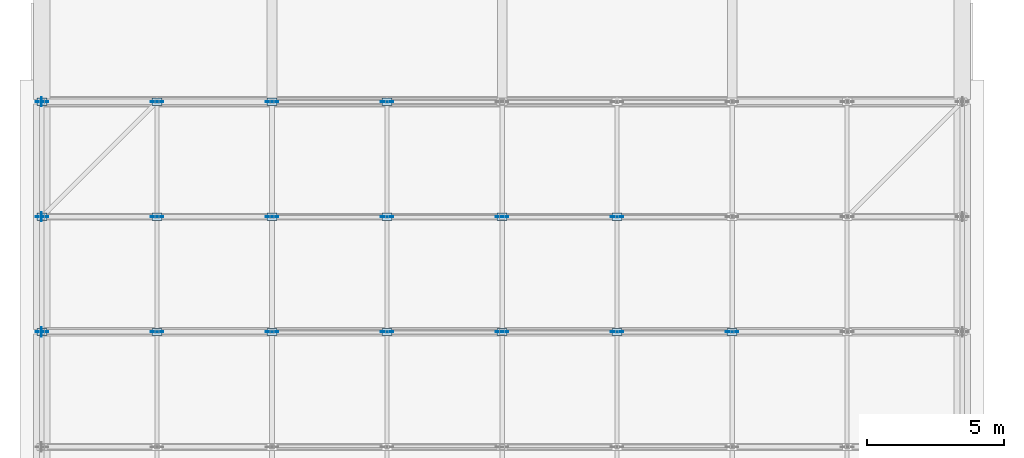
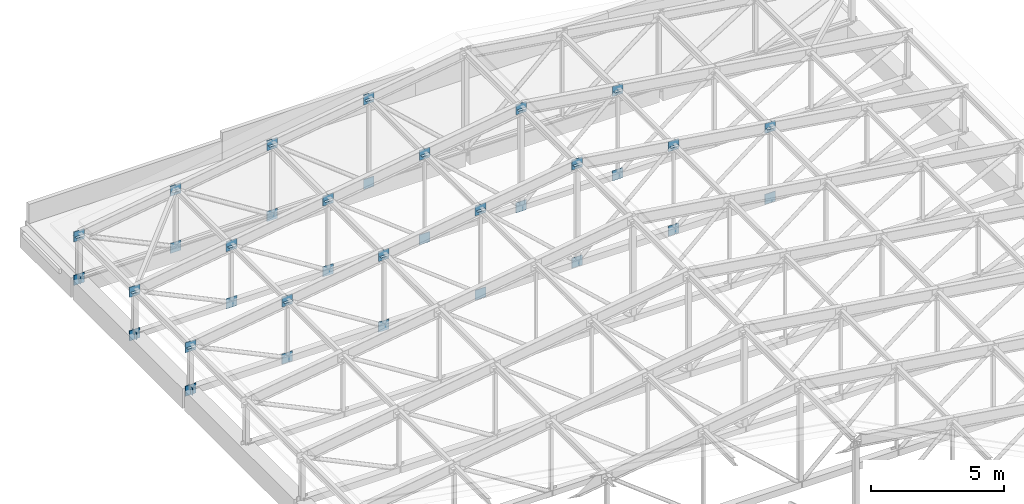
# One storey, part 51 of 122: 54 plates.
"""IFC4 building model written with IfcOpenShell, lengths in metres."""

from ifc_helpers import new_model, si_unit, direction, frame, origin, origin_2d, place, context, subcontext, project, spatial, rectangle, extrude, material, layer, layer_set, type_object, element, save


model = new_model("IFC4")

# Units and contexts
model_context = context("Model", 3, precision=1e-05, world=origin(), true_north=direction((0.0, 1.0)))
body_context = subcontext(model_context, "Body", "Model", "MODEL_VIEW")
ifc_project = project(units=[si_unit("LENGTHUNIT", "METRE"), si_unit("AREAUNIT", "SQUARE_METRE"), si_unit("VOLUMEUNIT", "CUBIC_METRE"), si_unit("PLANEANGLEUNIT", "RADIAN"), si_unit("MASSUNIT", "GRAM", prefix="KILO")], contexts=[model_context])

# Site, building, storey
site_placement = place(None, origin())
site = spatial("IfcSite", under=ifc_project, at=site_placement, CompositionType="ELEMENT")
building_placement = place(site_placement, origin())
building = spatial("IfcBuilding", under=site, at=building_placement, Name="Telukmera Botanical Conservatory", CompositionType="ELEMENT")
storey_placement = place(building_placement, frame((0.0, 0.0, 10.199951171875)))
storey = spatial("IfcBuildingStorey", under=building, at=storey_placement, Name="L02", CompositionType="ELEMENT", Elevation=10.199951171875)

# Plates
ifc_material = material(Name="Steel S355", Category="steel")
ifc_layer_1 = layer(ifc_material, 0.01611328125)
ifc_layer_set_1 = layer_set([ifc_layer_1], Name="Steel S355")
plate_type_1 = type_object("IfcPlateType", Name="Plate_CP1", PredefinedType="USERDEFINED", material=ifc_layer_set_1)
for number, where, z_axis, x_axis, name in (
    (1, (8.39990234375, 108.39990234375, 1.89404296875), (0.0, 0.0, 1.0), (1.0, 0.0, 0.0), "CP1 Truss Chord Node Cap Plate T7-T0"),
    (2, (12.60009765625, 108.39990234375, 2.521728515625), (0.0, 0.0, 1.0), (1.0, 0.0, 0.0), "CP1 Truss Chord Node Cap Plate T7-T1"),
    (3, (16.800048828125, 108.39990234375, 3.1494140625), (0.0, 0.0, 1.0), (1.0, 0.0, 0.0), "CP1 Truss Chord Node Cap Plate T7-T2"),
    (4, (21.0, 108.39990234375, 3.777099609375), (0.0, 0.0, 1.0), (1.0, 0.0, 0.0), "CP1 Truss Chord Node Cap Plate T7-T3"),
    (5, (25.199951171875, 108.39990234375, 4.40478515625), (0.0, 0.0, 1.0), (1.0, 0.0, 0.0), "CP1 Truss Chord Node Cap Plate T7-T4"),
    (6, (29.39990234375, 108.39990234375, 3.777099609375), (0.0, 0.0, 1.0), (1.0, 0.0, 0.0), "CP1 Truss Chord Node Cap Plate T7-T5"),
    (7, (33.60009765625, 108.39990234375, 3.1494140625), (0.0, 0.0, 1.0), (1.0, 0.0, 0.0), "CP1 Truss Chord Node Cap Plate T7-T6"),
):
    element("IfcPlate", number, at=place(storey_placement, frame(where, z_axis=z_axis, x_axis=x_axis)), inside=storey, type_object=plate_type_1, Name=name, ObjectType="CAP_PLATE", PredefinedType="USERDEFINED", context=body_context, shape_type="SweptSolid", body=[
        extrude(rectangle(XDim=0.360107421875, YDim=0.260009765625, at=origin_2d()), origin(), (0.0, 0.0, 1.0), 0.01611328125),
    ])
plate_1_placement = place(storey_placement, frame((8.39208984375, 108.39990234375, -0.25), z_axis=(0.0, 0.0, 1.0), x_axis=(1.0, 0.0, 0.0)))
element("IfcPlate", 8, at=plate_1_placement, inside=storey, type_object=plate_type_1, Name="CP1 Truss Bottom Chord End Cap T7-W", ObjectType="CAP_PLATE", PredefinedType="USERDEFINED", context=body_context, shape_type="SweptSolid", body=[
    extrude(rectangle(XDim=0.01611328125, YDim=0.340087890625, at=origin_2d()), origin(), (0.0, 0.0, 1.0), 0.340087890625),
])
for number, where, z_axis, x_axis, name in (
    (9, (8.39990234375, 112.60009765625, 1.89404296875), (0.0, 0.0, 1.0), (1.0, 0.0, 0.0), "CP1 Truss Chord Node Cap Plate T8-T0"),
    (10, (12.60009765625, 112.60009765625, 2.521728515625), (0.0, 0.0, 1.0), (1.0, 0.0, 0.0), "CP1 Truss Chord Node Cap Plate T8-T1"),
    (11, (16.800048828125, 112.60009765625, 3.1494140625), (0.0, 0.0, 1.0), (1.0, 0.0, 0.0), "CP1 Truss Chord Node Cap Plate T8-T2"),
    (12, (21.0, 112.60009765625, 3.777099609375), (0.0, 0.0, 1.0), (1.0, 0.0, 0.0), "CP1 Truss Chord Node Cap Plate T8-T3"),
    (13, (25.199951171875, 112.60009765625, 4.40478515625), (0.0, 0.0, 1.0), (1.0, 0.0, 0.0), "CP1 Truss Chord Node Cap Plate T8-T4"),
    (14, (29.39990234375, 112.60009765625, 3.777099609375), (0.0, 0.0, 1.0), (1.0, 0.0, 0.0), "CP1 Truss Chord Node Cap Plate T8-T5"),
):
    element("IfcPlate", number, at=place(storey_placement, frame(where, z_axis=z_axis, x_axis=x_axis)), inside=storey, type_object=plate_type_1, Name=name, ObjectType="CAP_PLATE", PredefinedType="USERDEFINED", context=body_context, shape_type="SweptSolid", body=[
        extrude(rectangle(XDim=0.360107421875, YDim=0.260009765625, at=origin_2d()), origin(), (0.0, 0.0, 1.0), 0.01611328125),
    ])
plate_2_placement = place(storey_placement, frame((8.39208984375, 112.60009765625, -0.25), z_axis=(0.0, 0.0, 1.0), x_axis=(1.0, 0.0, 0.0)))
element("IfcPlate", 15, at=plate_2_placement, inside=storey, type_object=plate_type_1, Name="CP1 Truss Bottom Chord End Cap T8-W", ObjectType="CAP_PLATE", PredefinedType="USERDEFINED", context=body_context, shape_type="SweptSolid", body=[
    extrude(rectangle(XDim=0.01611328125, YDim=0.340087890625, at=origin_2d()), origin(), (0.0, 0.0, 1.0), 0.340087890625),
])
for number, where, z_axis, x_axis, name in (
    (16, (8.39990234375, 116.800048828125, 1.89404296875), (0.0, 0.0, 1.0), (1.0, 0.0, 0.0), "CP1 Truss Chord Node Cap Plate T9-T0"),
    (17, (12.60009765625, 116.800048828125, 2.521728515625), (0.0, 0.0, 1.0), (1.0, 0.0, 0.0), "CP1 Truss Chord Node Cap Plate T9-T1"),
    (18, (16.800048828125, 116.800048828125, 3.1494140625), (0.0, 0.0, 1.0), (1.0, 0.0, 0.0), "CP1 Truss Chord Node Cap Plate T9-T2"),
    (19, (21.0, 116.800048828125, 3.777099609375), (0.0, 0.0, 1.0), (1.0, 0.0, 0.0), "CP1 Truss Chord Node Cap Plate T9-T3"),
):
    element("IfcPlate", number, at=place(storey_placement, frame(where, z_axis=z_axis, x_axis=x_axis)), inside=storey, type_object=plate_type_1, Name=name, ObjectType="CAP_PLATE", PredefinedType="USERDEFINED", context=body_context, shape_type="SweptSolid", body=[
        extrude(rectangle(XDim=0.360107421875, YDim=0.260009765625, at=origin_2d()), origin(), (0.0, 0.0, 1.0), 0.01611328125),
    ])
plate_3_placement = place(storey_placement, frame((8.39208984375, 116.800048828125, -0.25), z_axis=(0.0, 0.0, 1.0), x_axis=(1.0, 0.0, 0.0)))
element("IfcPlate", 20, at=plate_3_placement, inside=storey, type_object=plate_type_1, Name="CP1 Truss Bottom Chord End Cap T9-W", ObjectType="CAP_PLATE", PredefinedType="USERDEFINED", context=body_context, shape_type="SweptSolid", body=[
    extrude(rectangle(XDim=0.01611328125, YDim=0.340087890625, at=origin_2d()), origin(), (0.0, 0.0, 1.0), 0.340087890625),
])
ifc_layer_2 = layer(ifc_material, 0.028076171875)
ifc_layer_set_2 = layer_set([ifc_layer_2], Name="Steel S355")
plate_type_2 = type_object("IfcPlateType", Name="Plate_TP1", PredefinedType="USERDEFINED", material=ifc_layer_set_2)
for number, where, z_axis, x_axis, name in (
    (21, (8.39990234375, 108.39990234375, -0.309814453125), (0.0, 0.0, 1.0), (1.0, 0.0, 0.0), "TP1 Auditorium Truss Welded Node T7-B0"),
    (22, (8.39990234375, 108.39990234375, 1.690185546875), (0.0, 0.0, 1.0), (1.0, 0.0, 0.0), "TP1 Auditorium Truss Welded Node T7-T0"),
    (23, (12.60009765625, 108.39990234375, -0.309814453125), (0.0, 0.0, 1.0), (1.0, 0.0, 0.0), "TP1 Auditorium Truss Welded Node T7-B1"),
    (24, (12.60009765625, 108.39990234375, 2.31787109375), (0.0, 0.0, 1.0), (1.0, 0.0, 0.0), "TP1 Auditorium Truss Welded Node T7-T1"),
    (25, (16.800048828125, 108.39990234375, -0.309814453125), (0.0, 0.0, 1.0), (1.0, 0.0, 0.0), "TP1 Auditorium Truss Welded Node T7-B2"),
    (26, (16.800048828125, 108.39990234375, 2.945556640625), (0.0, 0.0, 1.0), (1.0, 0.0, 0.0), "TP1 Auditorium Truss Welded Node T7-T2"),
    (27, (21.0, 108.39990234375, -0.309814453125), (0.0, 0.0, 1.0), (1.0, 0.0, 0.0), "TP1 Auditorium Truss Welded Node T7-B3"),
    (28, (21.0, 108.39990234375, 3.5732421875), (0.0, 0.0, 1.0), (1.0, 0.0, 0.0), "TP1 Auditorium Truss Welded Node T7-T3"),
    (29, (25.199951171875, 108.39990234375, -0.309814453125), (0.0, 0.0, 1.0), (1.0, 0.0, 0.0), "TP1 Auditorium Truss Welded Node T7-B4"),
    (30, (25.199951171875, 108.39990234375, 4.200927734375), (0.0, 0.0, 1.0), (1.0, 0.0, 0.0), "TP1 Auditorium Truss Welded Node T7-T4"),
    (31, (29.39990234375, 108.39990234375, -0.309814453125), (0.0, 0.0, 1.0), (1.0, 0.0, 0.0), "TP1 Auditorium Truss Welded Node T7-B5"),
    (32, (29.39990234375, 108.39990234375, 3.5732421875), (0.0, 0.0, 1.0), (1.0, 0.0, 0.0), "TP1 Auditorium Truss Welded Node T7-T5"),
    (33, (33.60009765625, 108.39990234375, -0.309814453125), (0.0, 0.0, 1.0), (1.0, 0.0, 0.0), "TP1 Auditorium Truss Welded Node T7-B6"),
    (34, (33.60009765625, 108.39990234375, 2.945556640625), (0.0, 0.0, 1.0), (1.0, 0.0, 0.0), "TP1 Auditorium Truss Welded Node T7-T6"),
    (35, (8.39990234375, 112.60009765625, -0.309814453125), (0.0, 0.0, 1.0), (1.0, 0.0, 0.0), "TP1 Auditorium Truss Welded Node T8-B0"),
    (36, (8.39990234375, 112.60009765625, 1.690185546875), (0.0, 0.0, 1.0), (1.0, 0.0, 0.0), "TP1 Auditorium Truss Welded Node T8-T0"),
    (37, (12.60009765625, 112.60009765625, -0.309814453125), (0.0, 0.0, 1.0), (1.0, 0.0, 0.0), "TP1 Auditorium Truss Welded Node T8-B1"),
    (38, (12.60009765625, 112.60009765625, 2.31787109375), (0.0, 0.0, 1.0), (1.0, 0.0, 0.0), "TP1 Auditorium Truss Welded Node T8-T1"),
    (39, (16.800048828125, 112.60009765625, -0.309814453125), (0.0, 0.0, 1.0), (1.0, 0.0, 0.0), "TP1 Auditorium Truss Welded Node T8-B2"),
    (40, (16.800048828125, 112.60009765625, 2.945556640625), (0.0, 0.0, 1.0), (1.0, 0.0, 0.0), "TP1 Auditorium Truss Welded Node T8-T2"),
    (41, (21.0, 112.60009765625, -0.309814453125), (0.0, 0.0, 1.0), (1.0, 0.0, 0.0), "TP1 Auditorium Truss Welded Node T8-B3"),
    (42, (21.0, 112.60009765625, 3.5732421875), (0.0, 0.0, 1.0), (1.0, 0.0, 0.0), "TP1 Auditorium Truss Welded Node T8-T3"),
    (43, (25.199951171875, 112.60009765625, -0.309814453125), (0.0, 0.0, 1.0), (1.0, 0.0, 0.0), "TP1 Auditorium Truss Welded Node T8-B4"),
    (44, (25.199951171875, 112.60009765625, 4.200927734375), (0.0, 0.0, 1.0), (1.0, 0.0, 0.0), "TP1 Auditorium Truss Welded Node T8-T4"),
    (45, (29.39990234375, 112.60009765625, -0.309814453125), (0.0, 0.0, 1.0), (1.0, 0.0, 0.0), "TP1 Auditorium Truss Welded Node T8-B5"),
    (46, (29.39990234375, 112.60009765625, 3.5732421875), (0.0, 0.0, 1.0), (1.0, 0.0, 0.0), "TP1 Auditorium Truss Welded Node T8-T5"),
    (47, (8.39990234375, 116.800048828125, -0.309814453125), (0.0, 0.0, 1.0), (1.0, 0.0, 0.0), "TP1 Auditorium Truss Welded Node T9-B0"),
    (48, (8.39990234375, 116.800048828125, 1.690185546875), (0.0, 0.0, 1.0), (1.0, 0.0, 0.0), "TP1 Auditorium Truss Welded Node T9-T0"),
    (49, (12.60009765625, 116.800048828125, -0.309814453125), (0.0, 0.0, 1.0), (1.0, 0.0, 0.0), "TP1 Auditorium Truss Welded Node T9-B1"),
    (50, (12.60009765625, 116.800048828125, 2.31787109375), (0.0, 0.0, 1.0), (1.0, 0.0, 0.0), "TP1 Auditorium Truss Welded Node T9-T1"),
    (51, (16.800048828125, 116.800048828125, -0.309814453125), (0.0, 0.0, 1.0), (1.0, 0.0, 0.0), "TP1 Auditorium Truss Welded Node T9-B2"),
    (52, (16.800048828125, 116.800048828125, 2.945556640625), (0.0, 0.0, 1.0), (1.0, 0.0, 0.0), "TP1 Auditorium Truss Welded Node T9-T2"),
    (53, (21.0, 116.800048828125, -0.309814453125), (0.0, 0.0, 1.0), (1.0, 0.0, 0.0), "TP1 Auditorium Truss Welded Node T9-B3"),
    (54, (21.0, 116.800048828125, 3.5732421875), (0.0, 0.0, 1.0), (1.0, 0.0, 0.0), "TP1 Auditorium Truss Welded Node T9-T3"),
):
    element("IfcPlate", number, at=place(storey_placement, frame(where, z_axis=z_axis, x_axis=x_axis)), inside=storey, type_object=plate_type_2, Name=name, ObjectType="GUSSET_PLATE", PredefinedType="USERDEFINED", context=body_context, shape_type="SweptSolid", body=[
        extrude(rectangle(XDim=0.4599609375, YDim=0.028076171875, at=origin_2d()), origin(), (0.0, 0.0, 1.0), 0.4599609375),
    ])

save(model, "model.ifc")
